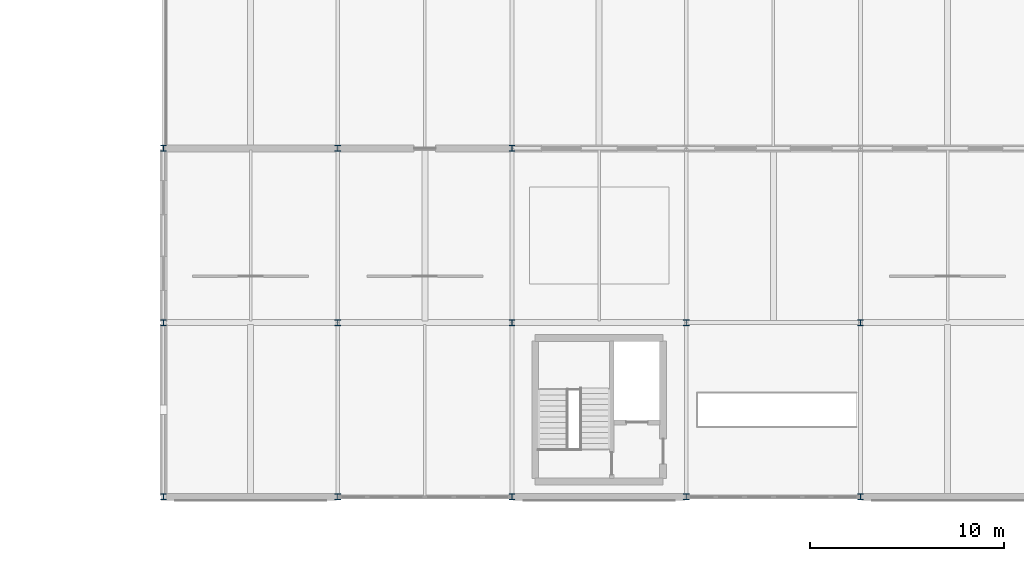
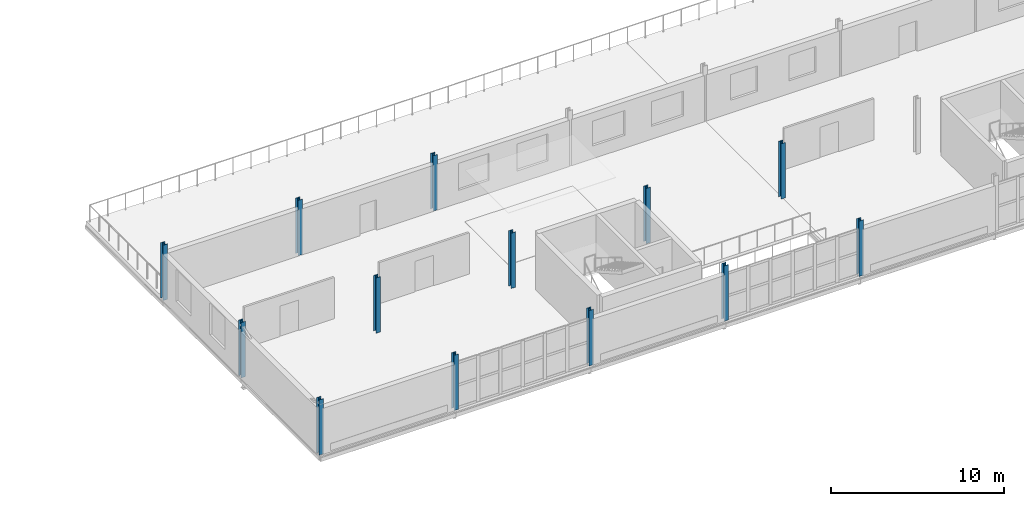
# One storey, part 1 of 123: 13 columns.
"""IFC4 building model written with IfcOpenShell, lengths in metres."""

from ifc_helpers import new_model, si_unit, direction, frame, origin, origin_2d, place, context, subcontext, project, spatial, i_section, extrude, material, material_profile, profile_set, type_object, element, save


model = new_model("IFC4")

# Units and contexts
model_context = context("Model", 3, precision=1e-05, world=origin(), true_north=direction((0.0, 1.0)))
body_context = subcontext(model_context, "Body", "Model", "MODEL_VIEW")
ifc_project = project(units=[si_unit("LENGTHUNIT", "METRE"), si_unit("AREAUNIT", "SQUARE_METRE"), si_unit("VOLUMEUNIT", "CUBIC_METRE"), si_unit("PLANEANGLEUNIT", "RADIAN"), si_unit("MASSUNIT", "GRAM", prefix="KILO")], contexts=[model_context])

# Site, building, storey
site_placement = place(None, origin())
site = spatial("IfcSite", under=ifc_project, at=site_placement, CompositionType="ELEMENT")
building_placement = place(site_placement, origin())
building = spatial("IfcBuilding", under=site, at=building_placement, Name="Kildeholm Park Wholesale Market", CompositionType="ELEMENT")
storey_placement = place(building_placement, frame((0.0, 0.0, 9.60009765625)))
storey = spatial("IfcBuildingStorey", under=building, at=storey_placement, Name="L02", CompositionType="ELEMENT", Elevation=9.60009765625)

# Columns
ifc_material = material(Name="Steel S355", Category="steel")
ifc_material_profile = material_profile(ifc_material, i_section(OverallWidth=0.300048828125, OverallDepth=0.300048828125, WebThickness=0.010986328125, FlangeThickness=0.01904296875, FilletRadius=0.027099609375, at=origin_2d()), Name="HEB 300")
ifc_profile_set = profile_set([ifc_material_profile], Name="Steel S355")
column_type = type_object("IfcColumnType", Name="Column C-S03 HEB 300", PredefinedType="COLUMN", material=ifc_profile_set)
for number, where, z_axis, x_axis, name in (
    (1, (9.0, 0.0, 0.0), (0.0, 0.0, 1.0), (1.0, 0.0, 0.0), "Column V5W-009-000 L02 COL-0642"),
    (2, (9.0, 9.0, 0.0), (0.0, 0.0, 1.0), (1.0, 0.0, 0.0), "Column V5W-009-009 L02 COL-0645"),
    (3, (9.0, 18.0, 0.0), (0.0, 0.0, 1.0), (1.0, 0.0, 0.0), "Column V5W-009-018 L02 COL-0648"),
    (4, (18.0, 0.0, 0.0), (0.0, 0.0, 1.0), (1.0, 0.0, 0.0), "Column V5W-018-000 L02 COL-0653"),
    (5, (18.0, 9.0, 0.0), (0.0, 0.0, 1.0), (1.0, 0.0, 0.0), "Column V5W-018-009 L02 COL-0657"),
    (6, (18.0, 18.0, 0.0), (0.0, 0.0, 1.0), (1.0, 0.0, 0.0), "Column V5W-018-018 L02 COL-0661"),
    (7, (27.0, 0.0, 0.0), (0.0, 0.0, 1.0), (1.0, 0.0, 0.0), "Column V5W-027-000 L02 COL-0667"),
    (8, (27.0, 9.0, 0.0), (0.0, 0.0, 1.0), (1.0, 0.0, 0.0), "Column V5W-027-009 L02 COL-0671"),
    (9, (27.0, 18.0, 0.0), (0.0, 0.0, 1.0), (1.0, 0.0, 0.0), "Column V5W-027-018 L02 COL-0675"),
    (10, (36.0, 0.0, 0.0), (0.0, 0.0, 1.0), (1.0, 0.0, 0.0), "Column V5W-036-000 L02 COL-0681"),
    (11, (36.0, 9.0, 0.0), (0.0, 0.0, 1.0), (1.0, 0.0, 0.0), "Column V5W-036-009 L02 COL-0685"),
    (12, (45.0, 0.0, 0.0), (0.0, 0.0, 1.0), (1.0, 0.0, 0.0), "Column V5W-045-000 L02 COL-0695"),
    (13, (45.0, 9.0, 0.0), (0.0, 0.0, 1.0), (1.0, 0.0, 0.0), "Column V5W-045-009 L02 COL-0699"),
):
    element("IfcColumn", number, at=place(storey_placement, frame(where, z_axis=z_axis, x_axis=x_axis)), inside=storey, type_object=column_type, Name=name, PredefinedType="COLUMN", context=body_context, shape_type="SweptSolid", body=[
        extrude(i_section(OverallWidth=0.300048828125, OverallDepth=0.300048828125, WebThickness=0.010986328125, FlangeThickness=0.01904296875, FilletRadius=0.027099609375, at=origin_2d()), origin(), (0.0, 0.0, 1.0), 3.89990234375),
    ])

save(model, "model.ifc")
